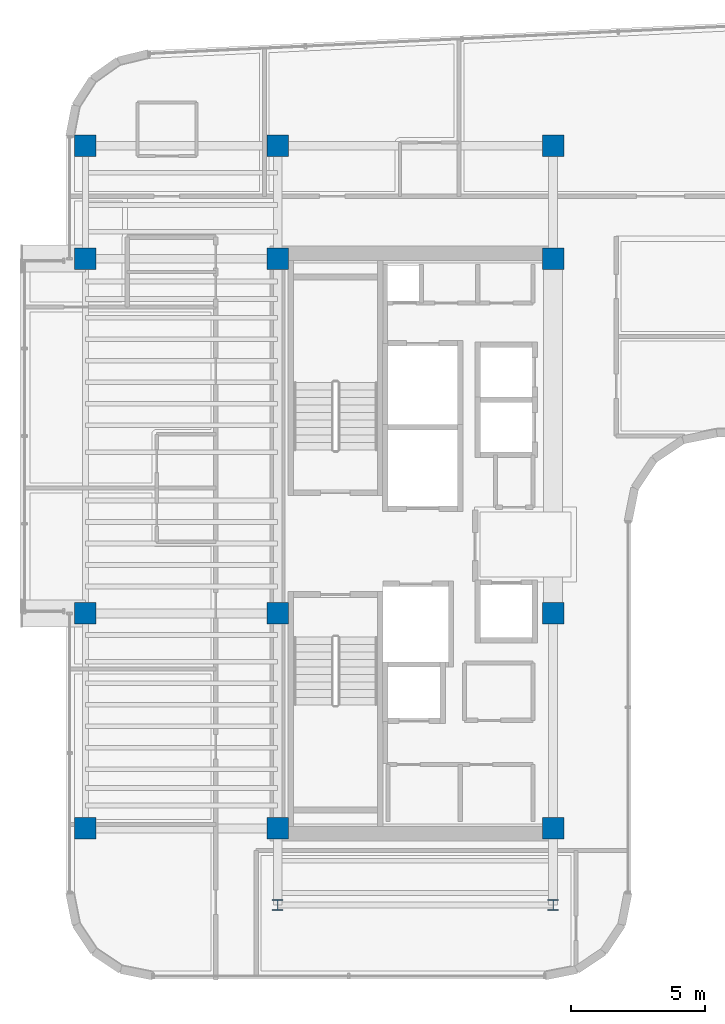
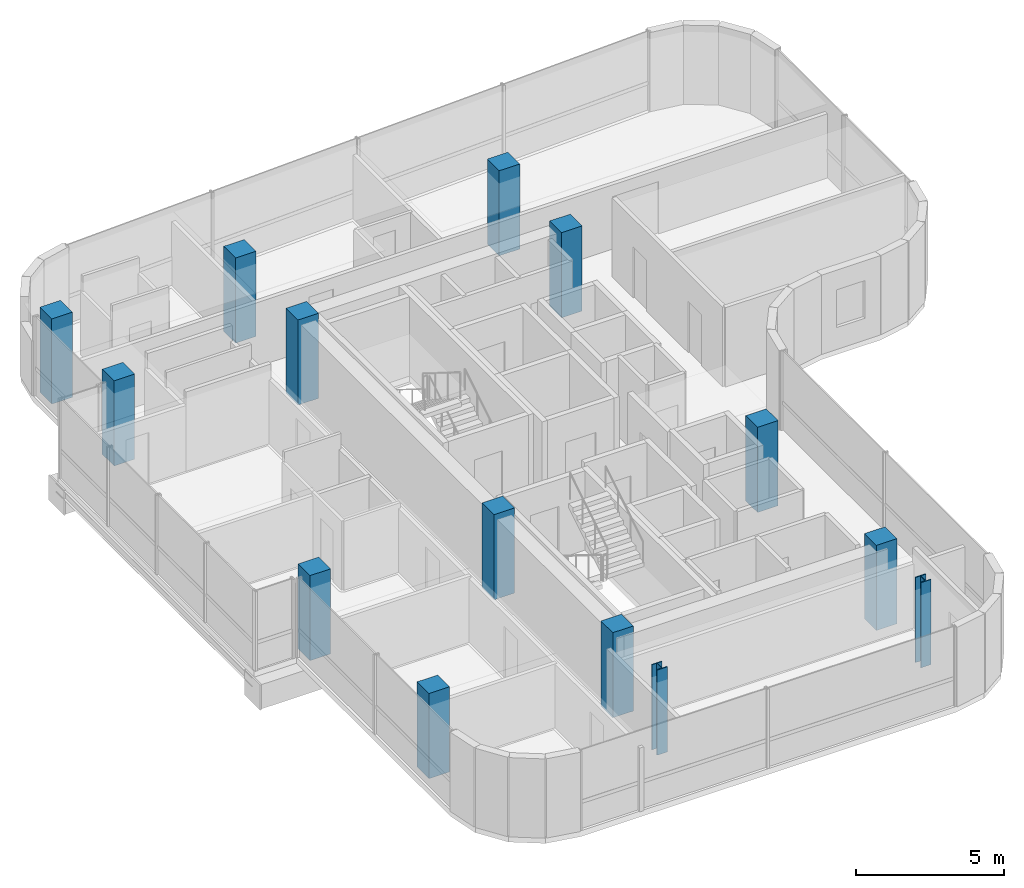
# One storey, part 1 of 20: 14 columns.
"""IFC4 building model written with IfcOpenShell, lengths in metres."""

from ifc_helpers import new_model, si_unit, direction, frame, origin, origin_2d, place, context, subcontext, project, spatial, rectangle, i_section, extrude, source, transform, mapped, material, material_profile, profile_set, type_object, element, save


model = new_model("IFC4")

# Units and contexts
model_context = context("Model", 3, precision=1e-05, world=origin(), true_north=direction((0.0, 1.0)))
body_context = subcontext(model_context, "Body", "Model", "MODEL_VIEW")
ifc_project = project(units=[si_unit("LENGTHUNIT", "METRE"), si_unit("AREAUNIT", "SQUARE_METRE"), si_unit("VOLUMEUNIT", "CUBIC_METRE"), si_unit("PLANEANGLEUNIT", "RADIAN"), si_unit("MASSUNIT", "GRAM", prefix="KILO")], contexts=[model_context])

# Site, building, storey
site_placement = place(None, origin())
site = spatial("IfcSite", under=ifc_project, at=site_placement, CompositionType="ELEMENT")
building_placement = place(site_placement, origin())
building = spatial("IfcBuilding", under=site, at=building_placement, Name="Valdorenza Pilgrim Sanctuary Tower", CompositionType="ELEMENT")
storey_placement = place(building_placement, frame((0.0, 0.0, 280.0)))
storey = spatial("IfcBuildingStorey", under=building, at=storey_placement, Name="L73", CompositionType="ELEMENT", Elevation=280.0)

# Columns
ifc_material_1 = material(Name="Concrete C50/60", Category="concrete")
ifc_material_profile_1 = material_profile(ifc_material_1, rectangle(XDim=0.800048828125, YDim=0.800048828125, at=origin_2d()), Name="RC 800x800")
ifc_profile_set_1 = profile_set([ifc_material_profile_1], Name="Concrete C50/60")
column_type_1 = type_object("IfcColumnType", Name="COL-Z4B-800", PredefinedType="COLUMN", material=ifc_profile_set_1)
shared_shape_1 = source(origin(), body_context, "Body", "SweptSolid", [
    extrude(rectangle(XDim=0.800048828125, YDim=0.800048828125, at=origin_2d()), origin(), (0.0, 0.0, 1.0), 3.5),
])
for number, where, z_axis, x_axis, name in (
    (1, (-29.800048828125, -10.60009765625, 0.0), (0.0, 0.0, 1.0), (1.0, 0.0, 0.0), "L73 Perimeter Column WA-W-S1"),
    (2, (-22.64990234375, -10.60009765625, 0.0), (0.0, 0.0, 1.0), (1.0, 0.0, 0.0), "L73 Column CA-W-S1"),
    (3, (-12.39990234375, -10.60009765625, 0.0), (0.0, 0.0, 1.0), (1.0, 0.0, 0.0), "L73 Column CA-E-S1"),
    (4, (-29.800048828125, -2.60009765625, 0.0), (0.0, 0.0, 1.0), (1.0, 0.0, 0.0), "L73 Perimeter Column WA-W-M0"),
    (5, (-22.64990234375, -2.60009765625, 0.0), (0.0, 0.0, 1.0), (1.0, 0.0, 0.0), "L73 Column CA-W-M0"),
    (6, (-12.39990234375, -2.60009765625, 0.0), (0.0, 0.0, 1.0), (1.0, 0.0, 0.0), "L73 Column CA-E-M0"),
    (7, (-29.800048828125, 10.60009765625, 0.0), (0.0, 0.0, 1.0), (1.0, 0.0, 0.0), "L73 Perimeter Column WA-W-N1"),
    (8, (-22.64990234375, 10.60009765625, 0.0), (0.0, 0.0, 1.0), (1.0, 0.0, 0.0), "L73 Column CA-W-N1"),
    (9, (-12.39990234375, 10.60009765625, 0.0), (0.0, 0.0, 1.0), (1.0, 0.0, 0.0), "L73 Column CA-E-N1"),
    (10, (-29.800048828125, 14.800048828125, 0.0), (0.0, 0.0, 1.0), (1.0, 0.0, 0.0), "L73 Perimeter Column WA-W-N2"),
    (11, (-22.64990234375, 14.800048828125, 0.0), (0.0, 0.0, 1.0), (1.0, 0.0, 0.0), "L73 Column CA-W-N2"),
    (12, (-12.39990234375, 14.800048828125, 0.0), (0.0, 0.0, 1.0), (1.0, 0.0, 0.0), "L73 Column CA-E-N2"),
):
    element("IfcColumn", number, at=place(storey_placement, frame(where, z_axis=z_axis, x_axis=x_axis)), inside=storey, type_object=column_type_1, Name=name, PredefinedType="COLUMN", context=body_context, shape_type="MappedRepresentation", body=[
        mapped(shared_shape_1, transform((0.0, 0.0, 0.0), x_axis=(1.0, 0.0, 0.0), y_axis=(0.0, 1.0, 0.0), z_axis=(0.0, 0.0, 1.0), scale=1.0)),
    ])
ifc_material_2 = material(Name="Steel ASTM A992 Grade 50", Category="steel")
ifc_material_profile_2 = material_profile(ifc_material_2, i_section(OverallWidth=0.40087890625, OverallDepth=0.39892578125, WebThickness=0.02490234375, FlangeThickness=0.03955078125, at=origin_2d()), Name="W14X211")
ifc_profile_set_2 = profile_set([ifc_material_profile_2], Name="Steel ASTM A992 Grade 50")
column_type_2 = type_object("IfcColumnType", Name="COL-STL-W211", PredefinedType="COLUMN", material=ifc_profile_set_2)
shared_shape_2 = source(origin(), body_context, "Body", "SweptSolid", [
    extrude(i_section(OverallWidth=0.40087890625, OverallDepth=0.39892578125, WebThickness=0.02490234375, FlangeThickness=0.03955078125, at=origin_2d()), origin(), (0.0, 0.0, 1.0), 3.5),
])
for number, where, z_axis, x_axis, name in (
    (13, (-22.64990234375, -13.449951171875, 0.0), (0.0, 0.0, 1.0), (1.0, 0.0, 0.0), "L73 Column WA-S-W"),
    (14, (-12.39990234375, -13.449951171875, 0.0), (0.0, 0.0, 1.0), (1.0, 0.0, 0.0), "L73 Column WA-S-E"),
):
    element("IfcColumn", number, at=place(storey_placement, frame(where, z_axis=z_axis, x_axis=x_axis)), inside=storey, type_object=column_type_2, Name=name, PredefinedType="COLUMN", context=body_context, shape_type="MappedRepresentation", body=[
        mapped(shared_shape_2, transform((0.0, 0.0, 0.0), x_axis=(1.0, 0.0, 0.0), y_axis=(0.0, 1.0, 0.0), z_axis=(0.0, 0.0, 1.0), scale=1.0)),
    ])

save(model, "model.ifc")
